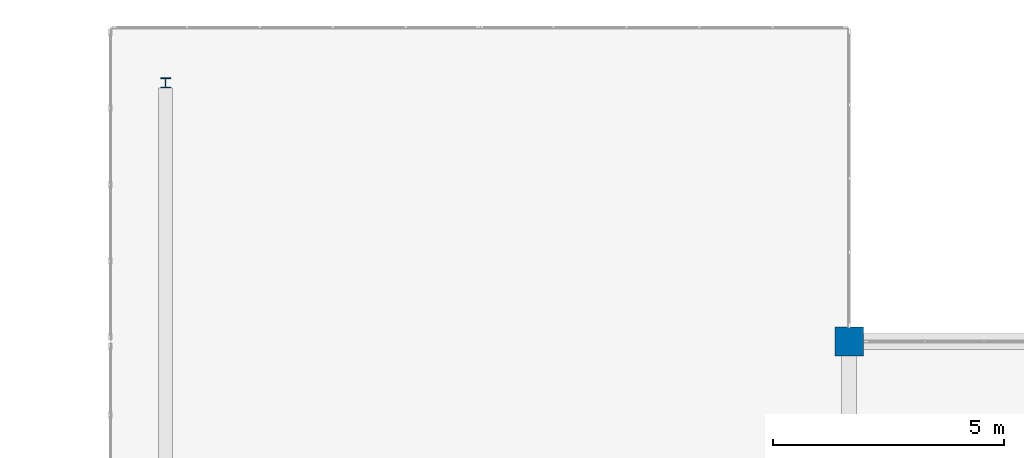
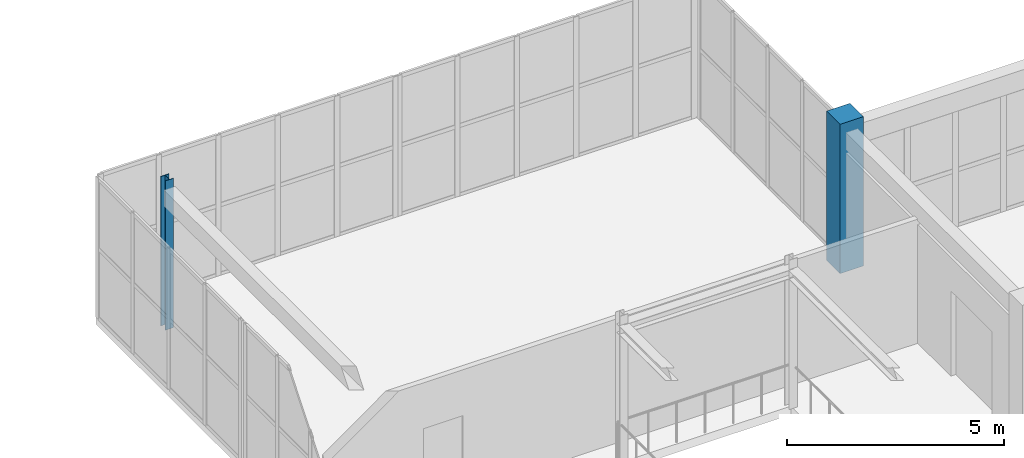
# One storey, part 6 of 81: 2 columns.
"""IFC4 building model written with IfcOpenShell, lengths in metres."""

from ifc_helpers import new_model, si_unit, direction, frame, origin, origin_2d, place, context, subcontext, project, spatial, rectangle, i_section, extrude, material, material_profile, profile_set, type_object, element, save


model = new_model("IFC4")

# Units and contexts
model_context = context("Model", 3, precision=1e-05, world=origin(), true_north=direction((0.0, 1.0)))
body_context = subcontext(model_context, "Body", "Model", "MODEL_VIEW")
ifc_project = project(units=[si_unit("LENGTHUNIT", "METRE"), si_unit("AREAUNIT", "SQUARE_METRE"), si_unit("VOLUMEUNIT", "CUBIC_METRE"), si_unit("PLANEANGLEUNIT", "RADIAN"), si_unit("MASSUNIT", "GRAM", prefix="KILO")], contexts=[model_context])

# Site, building, storey
site_placement = place(None, origin())
site = spatial("IfcSite", under=ifc_project, at=site_placement, CompositionType="ELEMENT")
building_placement = place(site_placement, origin())
building = spatial("IfcBuilding", under=site, at=building_placement, Name="Trelvath General Hospital", CompositionType="ELEMENT")
storey_placement = place(building_placement, frame((0.0, 0.0, 24.60009765625)))
storey = spatial("IfcBuildingStorey", under=building, at=storey_placement, Name="L06", CompositionType="ELEMENT", Elevation=24.60009765625)

# Columns
ifc_material_1 = material(Name="Concrete C40/50", Category="concrete")
ifc_material_profile_1 = material_profile(ifc_material_1, rectangle(XDim=0.6201171875, YDim=0.6201171875, at=origin_2d()), Name="RC620x620")
ifc_profile_set_1 = profile_set([ifc_material_profile_1], Name="Concrete C40/50")
column_type_1 = type_object("IfcColumnType", Name="Column RC620", PredefinedType="COLUMN", material=ifc_profile_set_1)
column_1_placement = place(storey_placement, frame((75.60009765625, 67.199951171875, 0.0), z_axis=(0.0, 0.0, 1.0), x_axis=(1.0, 0.0, 0.0)))
element("IfcColumn", 1, at=column_1_placement, inside=storey, type_object=column_type_1, Name="Column C-10I L06", PredefinedType="COLUMN", context=body_context, shape_type="SweptSolid", body=[
    extrude(rectangle(XDim=0.6201171875, YDim=0.6201171875, at=origin_2d()), origin(), (0.0, 0.0, 1.0), 4.199951171875),
])
ifc_material_2 = material(Name="Steel S355", Category="steel")
ifc_material_profile_2 = material_profile(ifc_material_2, i_section(OverallWidth=0.219970703125, OverallDepth=0.219970703125, WebThickness=0.009521484375, FlangeThickness=0.01611328125, at=origin_2d()), Name="HEB220")
ifc_profile_set_2 = profile_set([ifc_material_profile_2], Name="Steel S355")
column_type_2 = type_object("IfcColumnType", Name="CubePost HEB220", PredefinedType="COLUMN", material=ifc_profile_set_2)
column_2_placement = place(storey_placement, frame((60.800048828125, 72.800048828125, 0.0), z_axis=(0.0, 0.0, 1.0), x_axis=(1.0, 0.0, 0.0)))
element("IfcColumn", 2, at=column_2_placement, inside=storey, type_object=column_type_2, Name="Cube Interior Column CC-W06 L06", PredefinedType="COLUMN", context=body_context, shape_type="SweptSolid", body=[
    extrude(i_section(OverallWidth=0.219970703125, OverallDepth=0.219970703125, WebThickness=0.009521484375, FlangeThickness=0.01611328125, at=origin_2d()), origin(), (0.0, 0.0, 1.0), 4.199951171875),
])

save(model, "model.ifc")
